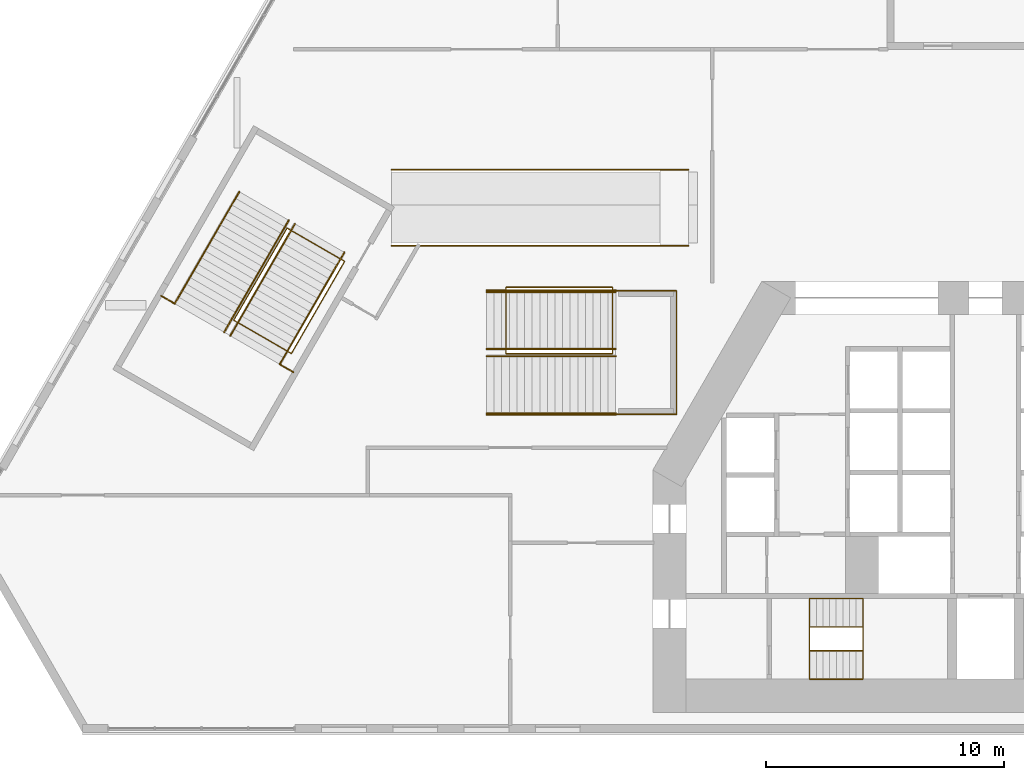
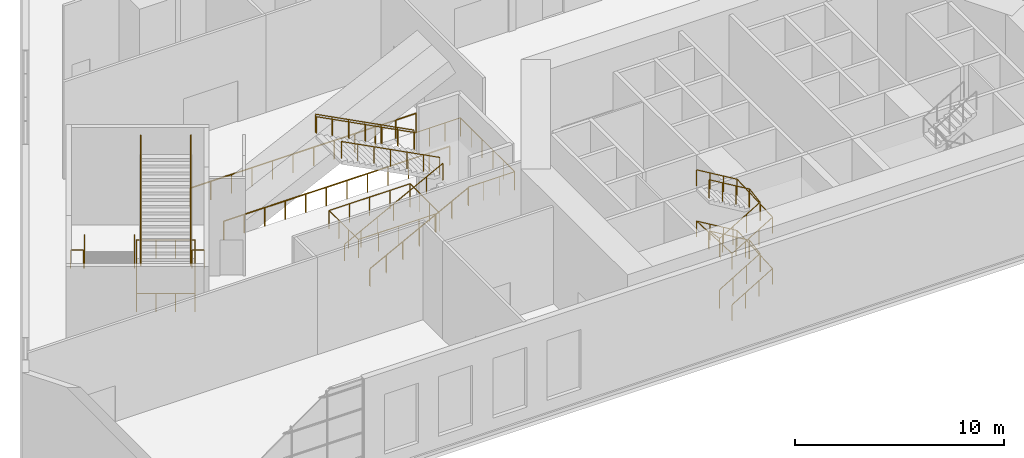
# One storey, part 22 of 27: 19 railings.
"""IFC4 building model written with IfcOpenShell, lengths in metres."""

from ifc_helpers import new_model, si_unit, direction, frame, origin, origin_2d, place, context, subcontext, project, spatial, circle, extrude, material, type_object, element, save


model = new_model("IFC4")

# Units and contexts
model_context = context("Model", 3, precision=1e-05, world=origin(), true_north=direction((0.0, 1.0)))
body_context = subcontext(model_context, "Body", "Model", "MODEL_VIEW")
ifc_project = project(units=[si_unit("LENGTHUNIT", "METRE"), si_unit("AREAUNIT", "SQUARE_METRE"), si_unit("VOLUMEUNIT", "CUBIC_METRE"), si_unit("PLANEANGLEUNIT", "RADIAN"), si_unit("MASSUNIT", "GRAM", prefix="KILO")], contexts=[model_context])

# Site, building, storey
site_placement = place(None, origin())
site = spatial("IfcSite", under=ifc_project, at=site_placement, CompositionType="ELEMENT")
building_placement = place(site_placement, origin())
building = spatial("IfcBuilding", under=site, at=building_placement, Name="Fogline Exchange Tower", CompositionType="ELEMENT")
storey_placement = place(building_placement, frame((0.0, 0.0, 8.0)))
storey = spatial("IfcBuildingStorey", under=building, at=storey_placement, Name="L01", CompositionType="ELEMENT", Elevation=8.0)

# Railings
ifc_material = material(Name="Steel Q235B", Category="steel")
railing_type_1 = type_object("IfcRailingType", Name="PG1", PredefinedType="GUARDRAIL", material=ifc_material)
railing_1_placement = place(storey_placement, frame((-29.3994140625, 21.23828125, 0.0)))
element("IfcRailing", 1, at=railing_1_placement, inside=storey, type_object=railing_type_1, Name="Stair well guard ST4", PredefinedType="GUARDRAIL", context=body_context, shape_type="SweptSolid", body=[
    extrude(circle(Radius=0.02392578125, at=origin_2d()), frame((0.0, 0.0, 1.076171875), z_axis=(0.866018616679, -0.500011755427, 0.0), x_axis=(0.500011755427, 0.866018616679, 0.0)), (0.0, 0.0, 1.0), 2.80029296875),
    extrude(circle(Radius=0.02392578125, at=origin_2d()), frame((2.425048828125, -1.400146484375, 1.076171875), z_axis=(-0.500015061066, -0.866016708099, 0.0), x_axis=(0.866016708099, -0.500015061066, 0.0)), (0.0, 0.0, 1.0), 4.477783203125),
    extrude(circle(Radius=0.02392578125, at=origin_2d()), frame((0.18603515625, -5.278076171875, 1.076171875), z_axis=(-0.866034573852, 0.49998411664, 0.0), x_axis=(-0.49998411664, -0.866034573852, 0.0)), (0.0, 0.0, 1.0), 2.7998046875),
    extrude(circle(Radius=0.02392578125, at=origin_2d()), frame((-2.23876953125, -3.878173828125, 1.076171875), z_axis=(0.500946001487, 0.865478540227, 0.0), x_axis=(-0.865478540227, 0.500946001487, 0.0)), (0.0, 0.0, 1.0), 4.477783203125),
    extrude(circle(Radius=0.02099609375, at=origin_2d()), origin(), (0.0, 0.0, 1.0), 1.052001953125),
    extrude(circle(Radius=0.02099609375, at=origin_2d()), frame((0.808349609375, -0.466796875, 0.0)), (0.0, 0.0, 1.0), 1.052001953125),
    extrude(circle(Radius=0.02099609375, at=origin_2d()), frame((1.61669921875, -0.933349609375, 0.0)), (0.0, 0.0, 1.0), 1.052001953125),
    extrude(circle(Radius=0.02099609375, at=origin_2d()), frame((2.425048828125, -1.400146484375, 0.0)), (0.0, 0.0, 1.0), 1.052001953125),
    extrude(circle(Radius=0.02099609375, at=origin_2d()), frame((1.865234375, -2.36962890625, 0.0)), (0.0, 0.0, 1.0), 1.052001953125),
    extrude(circle(Radius=0.02099609375, at=origin_2d()), frame((1.3056640625, -3.339111328125, 0.0)), (0.0, 0.0, 1.0), 1.052001953125),
    extrude(circle(Radius=0.02099609375, at=origin_2d()), frame((0.745849609375, -4.30859375, 0.0)), (0.0, 0.0, 1.0), 1.052001953125),
    extrude(circle(Radius=0.02099609375, at=origin_2d()), frame((0.18603515625, -5.278076171875, 0.0)), (0.0, 0.0, 1.0), 1.052001953125),
    extrude(circle(Radius=0.02099609375, at=origin_2d()), frame((-0.622314453125, -4.8115234375, 0.0)), (0.0, 0.0, 1.0), 1.052001953125),
    extrude(circle(Radius=0.02099609375, at=origin_2d()), frame((-1.430419921875, -4.3447265625, 0.0)), (0.0, 0.0, 1.0), 1.052001953125),
    extrude(circle(Radius=0.02099609375, at=origin_2d()), frame((-2.23876953125, -3.878173828125, 0.0)), (0.0, 0.0, 1.0), 1.052001953125),
    extrude(circle(Radius=0.02099609375, at=origin_2d()), frame((-1.677978515625, -2.9091796875, 0.0)), (0.0, 0.0, 1.0), 1.052001953125),
    extrude(circle(Radius=0.02099609375, at=origin_2d()), frame((-1.1171875, -1.9404296875, 0.0)), (0.0, 0.0, 1.0), 1.052001953125),
    extrude(circle(Radius=0.02099609375, at=origin_2d()), frame((-0.556396484375, -0.9716796875, 0.0)), (0.0, 0.0, 1.0), 1.052001953125),
    extrude(circle(Radius=0.02099609375, at=origin_2d()), frame((0.00439453125, -0.002685546875, 0.0)), (0.0, 0.0, 1.0), 1.052001953125),
])
railing_2_placement = place(storey_placement, frame((-34.69921875, 18.38818359375, 3.0)))
element("IfcRailing", 2, at=railing_2_placement, inside=storey, type_object=railing_type_1, Name="Landing guard ST4", PredefinedType="GUARDRAIL", context=body_context, shape_type="SweptSolid", body=[
    extrude(circle(Radius=0.02392578125, at=origin_2d()), frame((0.0, 0.0, 1.076171875), z_axis=(0.86615915044, -0.499768272412, 0.0), x_axis=(0.499768272412, 0.86615915044, 0.0)), (0.0, 0.0, 1.0), 0.614990234375),
    extrude(circle(Radius=0.02099609375, at=origin_2d()), origin(), (0.0, 0.0, 1.0), 1.052001953125),
    extrude(circle(Radius=0.02099609375, at=origin_2d()), frame((0.53271484375, -0.307373046875, 0.0)), (0.0, 0.0, 1.0), 1.052001953125),
])
railing_3_placement = place(storey_placement, frame((-29.6630859375, 15.480712890625, 3.0)))
element("IfcRailing", 3, at=railing_3_placement, inside=storey, type_object=railing_type_1, Name="Landing guard ST4", PredefinedType="GUARDRAIL", context=body_context, shape_type="SweptSolid", body=[
    extrude(circle(Radius=0.02392578125, at=origin_2d()), frame((0.0, 0.0, 1.076171875), z_axis=(0.866059952115, -0.49994015576, 0.0), x_axis=(0.49994015576, 0.866059952115, 0.0)), (0.0, 0.0, 1.0), 0.61474609375),
    extrude(circle(Radius=0.02099609375, at=origin_2d()), origin(), (0.0, 0.0, 1.0), 1.052001953125),
    extrude(circle(Radius=0.02099609375, at=origin_2d()), frame((0.532470703125, -0.307373046875, 0.0)), (0.0, 0.0, 1.0), 1.052001953125),
])
railing_4_placement = place(storey_placement, frame((-15.699951171875, 18.75, 0.0)))
element("IfcRailing", 4, at=railing_4_placement, inside=storey, type_object=railing_type_1, Name="Stair well guard PS1", PredefinedType="GUARDRAIL", context=body_context, shape_type="SweptSolid", body=[
    extrude(circle(Radius=0.02392578125, at=origin_2d()), frame((0.0, 0.0, 1.076171875), z_axis=(0.0, -1.0, 0.0), x_axis=(1.0, 0.0, 0.0)), (0.0, 0.0, 1.0), 2.800048828125),
    extrude(circle(Radius=0.02392578125, at=origin_2d()), frame((0.0, -2.800048828125, 1.076171875), z_axis=(-1.0, 0.0, 0.0), x_axis=(0.0, -1.0, 0.0)), (0.0, 0.0, 1.0), 4.47802734375),
    extrude(circle(Radius=0.02392578125, at=origin_2d()), frame((-4.47802734375, -2.800048828125, 1.076171875), z_axis=(0.0, 1.0, 0.0), x_axis=(-1.0, 0.0, 0.0)), (0.0, 0.0, 1.0), 2.800048828125),
    extrude(circle(Radius=0.02392578125, at=origin_2d()), frame((-4.47802734375, 0.0, 1.076171875), z_axis=(0.999999405521, -0.001090392984, 0.0), x_axis=(0.001090392984, 0.999999405521, 0.0)), (0.0, 0.0, 1.0), 4.47802734375),
    extrude(circle(Radius=0.02099609375, at=origin_2d()), origin(), (0.0, 0.0, 1.0), 1.052001953125),
    extrude(circle(Radius=0.02099609375, at=origin_2d()), frame((0.0, -0.933349609375, 0.0)), (0.0, 0.0, 1.0), 1.052001953125),
    extrude(circle(Radius=0.02099609375, at=origin_2d()), frame((0.0, -1.86669921875, 0.0)), (0.0, 0.0, 1.0), 1.052001953125),
    extrude(circle(Radius=0.02099609375, at=origin_2d()), frame((0.0, -2.800048828125, 0.0)), (0.0, 0.0, 1.0), 1.052001953125),
    extrude(circle(Radius=0.02099609375, at=origin_2d()), frame((-1.11962890625, -2.800048828125, 0.0)), (0.0, 0.0, 1.0), 1.052001953125),
    extrude(circle(Radius=0.02099609375, at=origin_2d()), frame((-2.239013671875, -2.800048828125, 0.0)), (0.0, 0.0, 1.0), 1.052001953125),
    extrude(circle(Radius=0.02099609375, at=origin_2d()), frame((-3.3583984375, -2.800048828125, 0.0)), (0.0, 0.0, 1.0), 1.052001953125),
    extrude(circle(Radius=0.02099609375, at=origin_2d()), frame((-4.47802734375, -2.800048828125, 0.0)), (0.0, 0.0, 1.0), 1.052001953125),
    extrude(circle(Radius=0.02099609375, at=origin_2d()), frame((-4.47802734375, -1.86669921875, 0.0)), (0.0, 0.0, 1.0), 1.052001953125),
    extrude(circle(Radius=0.02099609375, at=origin_2d()), frame((-4.47802734375, -0.933349609375, 0.0)), (0.0, 0.0, 1.0), 1.052001953125),
    extrude(circle(Radius=0.02099609375, at=origin_2d()), frame((-4.47802734375, 0.0, 0.0)), (0.0, 0.0, 1.0), 1.052001953125),
    extrude(circle(Radius=0.02099609375, at=origin_2d()), frame((-3.3583984375, -0.001220703125, 0.0)), (0.0, 0.0, 1.0), 1.052001953125),
    extrude(circle(Radius=0.02099609375, at=origin_2d()), frame((-2.239013671875, -0.00244140625, 0.0)), (0.0, 0.0, 1.0), 1.052001953125),
    extrude(circle(Radius=0.02099609375, at=origin_2d()), frame((-1.11962890625, -0.003662109375, 0.0)), (0.0, 0.0, 1.0), 1.052001953125),
    extrude(circle(Radius=0.02099609375, at=origin_2d()), frame((0.0, -0.0048828125, 0.0)), (0.0, 0.0, 1.0), 1.052001953125),
])
railing_5_placement = place(storey_placement, frame((-21.0, 13.3798828125, 0.166748046875)))
element("IfcRailing", 5, at=railing_5_placement, inside=storey, type_object=railing_type_1, Name="Guard PS1", PredefinedType="GUARDRAIL", context=body_context, shape_type="SweptSolid", body=[
    extrude(circle(Radius=0.02392578125, at=origin_2d()), frame((0.0, 0.0, 1.076171875), z_axis=(0.886917481566, 0.0, 0.461927895771), x_axis=(0.0, 1.0, 0.0)), (0.0, 0.0, 1.0), 6.133544921875),
    extrude(circle(Radius=0.02099609375, at=origin_2d()), origin(), (0.0, 0.0, 1.0), 1.052001953125),
    extrude(circle(Radius=0.02099609375, at=origin_2d()), frame((0.90673828125, 0.0, 0.47216796875)), (0.0, 0.0, 1.0), 1.052001953125),
    extrude(circle(Radius=0.02099609375, at=origin_2d()), frame((1.813232421875, 0.0, 0.9443359375)), (0.0, 0.0, 1.0), 1.052001953125),
    extrude(circle(Radius=0.02099609375, at=origin_2d()), frame((2.719970703125, 0.0, 1.41650390625)), (0.0, 0.0, 1.0), 1.052001953125),
    extrude(circle(Radius=0.02099609375, at=origin_2d()), frame((3.626708984375, 0.0, 1.888916015625)), (0.0, 0.0, 1.0), 1.052001953125),
    extrude(circle(Radius=0.02099609375, at=origin_2d()), frame((4.533203125, 0.0, 2.361083984375)), (0.0, 0.0, 1.0), 1.052001953125),
    extrude(circle(Radius=0.02099609375, at=origin_2d()), frame((5.43994140625, 0.0, 2.833251953125)), (0.0, 0.0, 1.0), 1.052001953125),
])
railing_6_placement = place(storey_placement, frame((-15.56005859375, 18.6201171875, 3.166748046875)))
element("IfcRailing", 6, at=railing_6_placement, inside=storey, type_object=railing_type_1, Name="Guard PS1", PredefinedType="GUARDRAIL", context=body_context, shape_type="SweptSolid", body=[
    extrude(circle(Radius=0.02392578125, at=origin_2d()), frame((0.0, 0.0, 1.076171875), z_axis=(-0.886917481566, 0.0, 0.461927895771), x_axis=(0.0, -1.0, 0.0)), (0.0, 0.0, 1.0), 6.133544921875),
    extrude(circle(Radius=0.02099609375, at=origin_2d()), origin(), (0.0, 0.0, 1.0), 1.052001953125),
    extrude(circle(Radius=0.02099609375, at=origin_2d()), frame((-0.90673828125, 0.0, 0.47216796875)), (0.0, 0.0, 1.0), 1.052001953125),
    extrude(circle(Radius=0.02099609375, at=origin_2d()), frame((-1.813232421875, 0.0, 0.9443359375)), (0.0, 0.0, 1.0), 1.052001953125),
    extrude(circle(Radius=0.02099609375, at=origin_2d()), frame((-2.719970703125, 0.0, 1.41650390625)), (0.0, 0.0, 1.0), 1.052001953125),
    extrude(circle(Radius=0.02099609375, at=origin_2d()), frame((-3.626708984375, 0.0, 1.888916015625)), (0.0, 0.0, 1.0), 1.052001953125),
    extrude(circle(Radius=0.02099609375, at=origin_2d()), frame((-4.533203125, 0.0, 2.361083984375)), (0.0, 0.0, 1.0), 1.052001953125),
    extrude(circle(Radius=0.02099609375, at=origin_2d()), frame((-5.43994140625, 0.0, 2.833251953125)), (0.0, 0.0, 1.0), 1.052001953125),
])
railing_7_placement = place(storey_placement, frame((-15.56005859375, 13.39990234375, 3.0)))
element("IfcRailing", 7, at=railing_7_placement, inside=storey, type_object=railing_type_1, Name="Landing guard PS1", PredefinedType="GUARDRAIL", context=body_context, shape_type="SweptSolid", body=[
    extrude(circle(Radius=0.02392578125, at=origin_2d()), frame((0.0, 0.0, 1.076171875), z_axis=(1.0, 0.0, 0.0), x_axis=(0.0, 1.0, 0.0)), (0.0, 0.0, 1.0), 2.56005859375),
    extrude(circle(Radius=0.02392578125, at=origin_2d()), frame((2.56005859375, 0.0, 1.076171875), z_axis=(0.0, 1.0, 0.0), x_axis=(-1.0, 0.0, 0.0)), (0.0, 0.0, 1.0), 5.2001953125),
    extrude(circle(Radius=0.02392578125, at=origin_2d()), frame((2.56005859375, 5.2001953125, 1.076171875), z_axis=(-1.0, 0.0, 0.0), x_axis=(0.0, -1.0, 0.0)), (0.0, 0.0, 1.0), 2.56005859375),
    extrude(circle(Radius=0.02099609375, at=origin_2d()), origin(), (0.0, 0.0, 1.0), 1.052001953125),
    extrude(circle(Radius=0.02099609375, at=origin_2d()), frame((0.853271484375, 0.0, 0.0)), (0.0, 0.0, 1.0), 1.052001953125),
    extrude(circle(Radius=0.02099609375, at=origin_2d()), frame((1.706787109375, 0.0, 0.0)), (0.0, 0.0, 1.0), 1.052001953125),
    extrude(circle(Radius=0.02099609375, at=origin_2d()), frame((2.56005859375, 0.0, 0.0)), (0.0, 0.0, 1.0), 1.052001953125),
    extrude(circle(Radius=0.02099609375, at=origin_2d()), frame((2.56005859375, 1.0400390625, 0.0)), (0.0, 0.0, 1.0), 1.052001953125),
    extrude(circle(Radius=0.02099609375, at=origin_2d()), frame((2.56005859375, 2.080078125, 0.0)), (0.0, 0.0, 1.0), 1.052001953125),
    extrude(circle(Radius=0.02099609375, at=origin_2d()), frame((2.56005859375, 3.1201171875, 0.0)), (0.0, 0.0, 1.0), 1.052001953125),
    extrude(circle(Radius=0.02099609375, at=origin_2d()), frame((2.56005859375, 4.16015625, 0.0)), (0.0, 0.0, 1.0), 1.052001953125),
    extrude(circle(Radius=0.02099609375, at=origin_2d()), frame((2.56005859375, 5.2001953125, 0.0)), (0.0, 0.0, 1.0), 1.052001953125),
    extrude(circle(Radius=0.02099609375, at=origin_2d()), frame((1.706787109375, 5.2001953125, 0.0)), (0.0, 0.0, 1.0), 1.052001953125),
    extrude(circle(Radius=0.02099609375, at=origin_2d()), frame((0.853271484375, 5.2001953125, 0.0)), (0.0, 0.0, 1.0), 1.052001953125),
    extrude(circle(Radius=0.02099609375, at=origin_2d()), frame((0.0, 5.2001953125, 0.0)), (0.0, 0.0, 1.0), 1.052001953125),
])
for number, where, name in (
    (8, (-25.0, 20.5, 0.0), "Guard"),
    (9, (-25.0, 23.699951171875, 0.0), "Guard"),
):
    element("IfcRailing", number, at=place(storey_placement, frame(where)), inside=storey, type_object=railing_type_1, Name=name, PredefinedType="GUARDRAIL", context=body_context, shape_type="SweptSolid", body=[
        extrude(circle(Radius=0.02392578125, at=origin_2d()), frame((0.0, 0.0, 1.076171875), z_axis=(1.0, 0.0, 0.0), x_axis=(0.0, 1.0, 0.0)), (0.0, 0.0, 1.0), 12.5),
        extrude(circle(Radius=0.02099609375, at=origin_2d()), origin(), (0.0, 0.0, 1.0), 1.052001953125),
        extrude(circle(Radius=0.02099609375, at=origin_2d()), frame((1.136474609375, 0.0, 0.0)), (0.0, 0.0, 1.0), 1.052001953125),
        extrude(circle(Radius=0.02099609375, at=origin_2d()), frame((2.272705078125, 0.0, 0.0)), (0.0, 0.0, 1.0), 1.052001953125),
        extrude(circle(Radius=0.02099609375, at=origin_2d()), frame((3.4091796875, 0.0, 0.0)), (0.0, 0.0, 1.0), 1.052001953125),
        extrude(circle(Radius=0.02099609375, at=origin_2d()), frame((4.54541015625, 0.0, 0.0)), (0.0, 0.0, 1.0), 1.052001953125),
        extrude(circle(Radius=0.02099609375, at=origin_2d()), frame((5.681884765625, 0.0, 0.0)), (0.0, 0.0, 1.0), 1.052001953125),
        extrude(circle(Radius=0.02099609375, at=origin_2d()), frame((6.818115234375, 0.0, 0.0)), (0.0, 0.0, 1.0), 1.052001953125),
        extrude(circle(Radius=0.02099609375, at=origin_2d()), frame((7.95458984375, 0.0, 0.0)), (0.0, 0.0, 1.0), 1.052001953125),
        extrude(circle(Radius=0.02099609375, at=origin_2d()), frame((9.0908203125, 0.0, 0.0)), (0.0, 0.0, 1.0), 1.052001953125),
        extrude(circle(Radius=0.02099609375, at=origin_2d()), frame((10.227294921875, 0.0, 0.0)), (0.0, 0.0, 1.0), 1.052001953125),
        extrude(circle(Radius=0.02099609375, at=origin_2d()), frame((11.363525390625, 0.0, 0.0)), (0.0, 0.0, 1.0), 1.052001953125),
        extrude(circle(Radius=0.02099609375, at=origin_2d()), frame((12.5, 0.0, 0.0)), (0.0, 0.0, 1.0), 1.052001953125),
    ])
railing_type_2 = type_object("IfcRailingType", Name="PH1", PredefinedType="HANDRAIL", material=ifc_material)
railing_8_placement = place(storey_placement, frame((-31.4033203125, 22.76708984375, 0.166748046875)))
element("IfcRailing", 10, at=railing_8_placement, inside=storey, type_object=railing_type_2, Name="Handrail ST4", PredefinedType="HANDRAIL", context=body_context, shape_type="SweptSolid", body=[
    extrude(circle(Radius=0.02392578125, at=origin_2d()), frame((0.0, 0.0, 0.97607421875), z_axis=(-0.443442173932, -0.768113012524, 0.461910638944), x_axis=(0.866039112897, -0.499976254368, 0.0)), (0.0, 0.0, 1.0), 6.1337890625),
    extrude(circle(Radius=0.02099609375, at=origin_2d()), origin(), (0.0, 0.0, 1.0), 0.951904296875),
    extrude(circle(Radius=0.02099609375, at=origin_2d()), frame((-0.453369140625, -0.78515625, 0.47216796875)), (0.0, 0.0, 1.0), 0.951904296875),
    extrude(circle(Radius=0.02099609375, at=origin_2d()), frame((-0.90673828125, -1.570556640625, 0.9443359375)), (0.0, 0.0, 1.0), 0.951904296875),
    extrude(circle(Radius=0.02099609375, at=origin_2d()), frame((-1.35986328125, -2.355712890625, 1.41650390625)), (0.0, 0.0, 1.0), 0.951904296875),
    extrude(circle(Radius=0.02099609375, at=origin_2d()), frame((-1.813232421875, -3.140869140625, 1.888916015625)), (0.0, 0.0, 1.0), 0.951904296875),
    extrude(circle(Radius=0.02099609375, at=origin_2d()), frame((-2.2666015625, -3.92626953125, 2.361083984375)), (0.0, 0.0, 1.0), 0.951904296875),
    extrude(circle(Radius=0.02099609375, at=origin_2d()), frame((-2.719970703125, -4.71142578125, 2.833251953125)), (0.0, 0.0, 1.0), 0.951904296875),
])
railing_9_placement = place(storey_placement, frame((-29.324951171875, 21.56689453125, 0.166748046875)))
element("IfcRailing", 11, at=railing_9_placement, inside=storey, type_object=railing_type_2, Name="Handrail ST4", PredefinedType="HANDRAIL", context=body_context, shape_type="SweptSolid", body=[
    extrude(circle(Radius=0.02392578125, at=origin_2d()), frame((0.0, 0.0, 0.97607421875), z_axis=(-0.443455731556, -0.768096692562, 0.461924761216), x_axis=(0.866027894023, -0.499995686755, 0.0)), (0.0, 0.0, 1.0), 6.133544921875),
    extrude(circle(Radius=0.02099609375, at=origin_2d()), origin(), (0.0, 0.0, 1.0), 0.951904296875),
    extrude(circle(Radius=0.02099609375, at=origin_2d()), frame((-0.453369140625, -0.78515625, 0.47216796875)), (0.0, 0.0, 1.0), 0.951904296875),
    extrude(circle(Radius=0.02099609375, at=origin_2d()), frame((-0.90673828125, -1.5703125, 0.9443359375)), (0.0, 0.0, 1.0), 0.951904296875),
    extrude(circle(Radius=0.02099609375, at=origin_2d()), frame((-1.35986328125, -2.35546875, 1.41650390625)), (0.0, 0.0, 1.0), 0.951904296875),
    extrude(circle(Radius=0.02099609375, at=origin_2d()), frame((-1.813232421875, -3.140869140625, 1.888916015625)), (0.0, 0.0, 1.0), 0.951904296875),
    extrude(circle(Radius=0.02099609375, at=origin_2d()), frame((-2.2666015625, -3.926025390625, 2.361083984375)), (0.0, 0.0, 1.0), 0.951904296875),
    extrude(circle(Radius=0.02099609375, at=origin_2d()), frame((-2.719970703125, -4.711181640625, 2.833251953125)), (0.0, 0.0, 1.0), 0.951904296875),
])
railing_10_placement = place(storey_placement, frame((-29.70654296875, 15.505859375, 3.166748046875)))
element("IfcRailing", 12, at=railing_10_placement, inside=storey, type_object=railing_type_2, Name="Handrail ST4", PredefinedType="HANDRAIL", context=body_context, shape_type="SweptSolid", body=[
    extrude(circle(Radius=0.02392578125, at=origin_2d()), frame((0.0, 0.0, 0.97607421875), z_axis=(0.443455731556, 0.768096692562, 0.461924761216), x_axis=(-0.866027894023, 0.499995686755, 0.0)), (0.0, 0.0, 1.0), 6.133544921875),
    extrude(circle(Radius=0.02099609375, at=origin_2d()), origin(), (0.0, 0.0, 1.0), 0.951904296875),
    extrude(circle(Radius=0.02099609375, at=origin_2d()), frame((0.453369140625, 0.78515625, 0.47216796875)), (0.0, 0.0, 1.0), 0.951904296875),
    extrude(circle(Radius=0.02099609375, at=origin_2d()), frame((0.90673828125, 1.5703125, 0.9443359375)), (0.0, 0.0, 1.0), 0.951904296875),
    extrude(circle(Radius=0.02099609375, at=origin_2d()), frame((1.35986328125, 2.35546875, 1.41650390625)), (0.0, 0.0, 1.0), 0.951904296875),
    extrude(circle(Radius=0.02099609375, at=origin_2d()), frame((1.813232421875, 3.140869140625, 1.888916015625)), (0.0, 0.0, 1.0), 0.951904296875),
    extrude(circle(Radius=0.02099609375, at=origin_2d()), frame((2.2666015625, 3.926025390625, 2.361083984375)), (0.0, 0.0, 1.0), 0.951904296875),
    extrude(circle(Radius=0.02099609375, at=origin_2d()), frame((2.719970703125, 4.711181640625, 2.833251953125)), (0.0, 0.0, 1.0), 0.951904296875),
])
railing_11_placement = place(storey_placement, frame((-31.784912109375, 16.705810546875, 3.166748046875)))
element("IfcRailing", 13, at=railing_11_placement, inside=storey, type_object=railing_type_2, Name="Handrail ST4", PredefinedType="HANDRAIL", context=body_context, shape_type="SweptSolid", body=[
    extrude(circle(Radius=0.02392578125, at=origin_2d()), frame((0.0, 0.0, 0.97607421875), z_axis=(0.443423754331, 0.768110250208, 0.461932914632), x_axis=(-0.866047326822, 0.499962026263, 0.0)), (0.0, 0.0, 1.0), 6.133544921875),
    extrude(circle(Radius=0.02099609375, at=origin_2d()), origin(), (0.0, 0.0, 1.0), 0.951904296875),
    extrude(circle(Radius=0.02099609375, at=origin_2d()), frame((0.453369140625, 0.78515625, 0.47216796875)), (0.0, 0.0, 1.0), 0.951904296875),
    extrude(circle(Radius=0.02099609375, at=origin_2d()), frame((0.906494140625, 1.5703125, 0.9443359375)), (0.0, 0.0, 1.0), 0.951904296875),
    extrude(circle(Radius=0.02099609375, at=origin_2d()), frame((1.35986328125, 2.35546875, 1.41650390625)), (0.0, 0.0, 1.0), 0.951904296875),
    extrude(circle(Radius=0.02099609375, at=origin_2d()), frame((1.813232421875, 3.140869140625, 1.888916015625)), (0.0, 0.0, 1.0), 0.951904296875),
    extrude(circle(Radius=0.02099609375, at=origin_2d()), frame((2.266357421875, 3.926025390625, 2.361083984375)), (0.0, 0.0, 1.0), 0.951904296875),
    extrude(circle(Radius=0.02099609375, at=origin_2d()), frame((2.7197265625, 4.711181640625, 2.833251953125)), (0.0, 0.0, 1.0), 0.951904296875),
])
for number, where, name in (
    (14, (-21.0, 13.449951171875, 0.166748046875), "Handrail PS1"),
    (15, (-21.0, 15.85009765625, 0.166748046875), "Handrail PS1"),
):
    element("IfcRailing", number, at=place(storey_placement, frame(where)), inside=storey, type_object=railing_type_2, Name=name, PredefinedType="HANDRAIL", context=body_context, shape_type="SweptSolid", body=[
        extrude(circle(Radius=0.02392578125, at=origin_2d()), frame((0.0, 0.0, 0.97607421875), z_axis=(0.886917481566, 0.0, 0.461927895771), x_axis=(0.0, 1.0, 0.0)), (0.0, 0.0, 1.0), 6.133544921875),
        extrude(circle(Radius=0.02099609375, at=origin_2d()), origin(), (0.0, 0.0, 1.0), 0.951904296875),
        extrude(circle(Radius=0.02099609375, at=origin_2d()), frame((0.90673828125, 0.0, 0.47216796875)), (0.0, 0.0, 1.0), 0.951904296875),
        extrude(circle(Radius=0.02099609375, at=origin_2d()), frame((1.813232421875, 0.0, 0.9443359375)), (0.0, 0.0, 1.0), 0.951904296875),
        extrude(circle(Radius=0.02099609375, at=origin_2d()), frame((2.719970703125, 0.0, 1.41650390625)), (0.0, 0.0, 1.0), 0.951904296875),
        extrude(circle(Radius=0.02099609375, at=origin_2d()), frame((3.626708984375, 0.0, 1.888916015625)), (0.0, 0.0, 1.0), 0.951904296875),
        extrude(circle(Radius=0.02099609375, at=origin_2d()), frame((4.533203125, 0.0, 2.361083984375)), (0.0, 0.0, 1.0), 0.951904296875),
        extrude(circle(Radius=0.02099609375, at=origin_2d()), frame((5.43994140625, 0.0, 2.833251953125)), (0.0, 0.0, 1.0), 0.951904296875),
    ])
for number, where, name in (
    (16, (-15.56005859375, 18.550048828125, 3.166748046875), "Handrail PS1"),
    (17, (-15.56005859375, 16.14990234375, 3.166748046875), "Handrail PS1"),
):
    element("IfcRailing", number, at=place(storey_placement, frame(where)), inside=storey, type_object=railing_type_2, Name=name, PredefinedType="HANDRAIL", context=body_context, shape_type="SweptSolid", body=[
        extrude(circle(Radius=0.02392578125, at=origin_2d()), frame((0.0, 0.0, 0.97607421875), z_axis=(-0.886917481566, 0.0, 0.461927895771), x_axis=(0.0, -1.0, 0.0)), (0.0, 0.0, 1.0), 6.133544921875),
        extrude(circle(Radius=0.02099609375, at=origin_2d()), origin(), (0.0, 0.0, 1.0), 0.951904296875),
        extrude(circle(Radius=0.02099609375, at=origin_2d()), frame((-0.90673828125, 0.0, 0.47216796875)), (0.0, 0.0, 1.0), 0.951904296875),
        extrude(circle(Radius=0.02099609375, at=origin_2d()), frame((-1.813232421875, 0.0, 0.9443359375)), (0.0, 0.0, 1.0), 0.951904296875),
        extrude(circle(Radius=0.02099609375, at=origin_2d()), frame((-2.719970703125, 0.0, 1.41650390625)), (0.0, 0.0, 1.0), 0.951904296875),
        extrude(circle(Radius=0.02099609375, at=origin_2d()), frame((-3.626708984375, 0.0, 1.888916015625)), (0.0, 0.0, 1.0), 0.951904296875),
        extrude(circle(Radius=0.02099609375, at=origin_2d()), frame((-4.533203125, 0.0, 2.361083984375)), (0.0, 0.0, 1.0), 0.951904296875),
        extrude(circle(Radius=0.02099609375, at=origin_2d()), frame((-5.43994140625, 0.0, 2.833251953125)), (0.0, 0.0, 1.0), 0.951904296875),
    ])
railing_type_3 = type_object("IfcRailingType", Name="RL-GD", PredefinedType="GUARDRAIL", material=ifc_material)
railing_12_placement = place(storey_placement, frame((-7.39990234375, 3.449951171875, 0.166748046875)))
element("IfcRailing", 18, at=railing_12_placement, inside=storey, type_object=railing_type_3, Name="Guard ST1", PredefinedType="GUARDRAIL", context=body_context, shape_type="SweptSolid", body=[
    extrude(circle(Radius=0.02392578125, at=origin_2d()), frame((0.0, 0.0, 1.076171875), z_axis=(0.859305625298, 0.0, 0.511462454469), x_axis=(0.0, 1.0, 0.0)), (0.0, 0.0, 1.0), 2.606689453125),
    extrude(circle(Radius=0.02392578125, at=origin_2d()), frame((2.239990234375, 0.0, 2.4091796875), z_axis=(0.0, 0.986380903678, 0.164477089163), x_axis=(-1.0, 0.0, 0.0)), (0.0, 0.0, 1.0), 1.013916015625),
    extrude(circle(Radius=0.02392578125, at=origin_2d()), frame((2.239990234375, 1.0, 2.576171875), z_axis=(-0.859305625298, 0.0, 0.511462454469), x_axis=(0.0, -1.0, 0.0)), (0.0, 0.0, 1.0), 2.606689453125),
    extrude(circle(Radius=0.02392578125, at=origin_2d()), frame((0.0, 1.0, 3.9091796875), z_axis=(0.0, -0.986380903678, 0.164477089163), x_axis=(1.0, 0.0, 0.0)), (0.0, 0.0, 1.0), 1.013916015625),
    extrude(circle(Radius=0.02392578125, at=origin_2d()), frame((0.0, 0.0, 4.076171875), z_axis=(0.859305625298, 0.0, 0.511462454469), x_axis=(0.0, 1.0, 0.0)), (0.0, 0.0, 1.0), 2.606689453125),
    extrude(circle(Radius=0.02392578125, at=origin_2d()), frame((2.239990234375, 0.0, 5.4091796875), z_axis=(0.0, 0.986380903678, 0.164477089163), x_axis=(-1.0, 0.0, 0.0)), (0.0, 0.0, 1.0), 1.013916015625),
    extrude(circle(Radius=0.02392578125, at=origin_2d()), frame((2.239990234375, 1.0, 5.576171875), z_axis=(-0.859305625298, 0.0, 0.511462454469), x_axis=(0.0, -1.0, 0.0)), (0.0, 0.0, 1.0), 2.606689453125),
    extrude(circle(Radius=0.02099609375, at=origin_2d()), origin(), (0.0, 0.0, 1.0), 1.052001953125),
    extrude(circle(Radius=0.02099609375, at=origin_2d()), frame((0.74658203125, 0.0, 0.4443359375)), (0.0, 0.0, 1.0), 1.052001953125),
    extrude(circle(Radius=0.02099609375, at=origin_2d()), frame((1.493408203125, 0.0, 0.888916015625)), (0.0, 0.0, 1.0), 1.052001953125),
    extrude(circle(Radius=0.02099609375, at=origin_2d()), frame((2.239990234375, 0.0, 1.333251953125)), (0.0, 0.0, 1.0), 1.052001953125),
    extrude(circle(Radius=0.02099609375, at=origin_2d()), frame((2.239990234375, 1.0, 1.5)), (0.0, 0.0, 1.0), 1.052001953125),
    extrude(circle(Radius=0.02099609375, at=origin_2d()), frame((1.493408203125, 1.0, 1.9443359375)), (0.0, 0.0, 1.0), 1.052001953125),
    extrude(circle(Radius=0.02099609375, at=origin_2d()), frame((0.74658203125, 1.0, 2.388916015625)), (0.0, 0.0, 1.0), 1.052001953125),
    extrude(circle(Radius=0.02099609375, at=origin_2d()), frame((0.0, 1.0, 2.833251953125)), (0.0, 0.0, 1.0), 1.052001953125),
    extrude(circle(Radius=0.02099609375, at=origin_2d()), frame((0.0, 0.0, 3.0)), (0.0, 0.0, 1.0), 1.052001953125),
    extrude(circle(Radius=0.02099609375, at=origin_2d()), frame((0.74658203125, 0.0, 3.4443359375)), (0.0, 0.0, 1.0), 1.052001953125),
    extrude(circle(Radius=0.02099609375, at=origin_2d()), frame((1.493408203125, 0.0, 3.888916015625)), (0.0, 0.0, 1.0), 1.052001953125),
    extrude(circle(Radius=0.02099609375, at=origin_2d()), frame((2.239990234375, 0.0, 4.333251953125)), (0.0, 0.0, 1.0), 1.052001953125),
    extrude(circle(Radius=0.02099609375, at=origin_2d()), frame((2.239990234375, 1.0, 4.5)), (0.0, 0.0, 1.0), 1.052001953125),
    extrude(circle(Radius=0.02099609375, at=origin_2d()), frame((1.493408203125, 1.0, 4.9443359375)), (0.0, 0.0, 1.0), 1.052001953125),
    extrude(circle(Radius=0.02099609375, at=origin_2d()), frame((0.74658203125, 1.0, 5.388916015625)), (0.0, 0.0, 1.0), 1.052001953125),
    extrude(circle(Radius=0.02099609375, at=origin_2d()), frame((0.0, 1.0, 5.833251953125)), (0.0, 0.0, 1.0), 1.052001953125),
])
railing_type_4 = type_object("IfcRailingType", Name="RL-HR", PredefinedType="HANDRAIL", material=ifc_material)
railing_13_placement = place(storey_placement, frame((-7.39990234375, 2.25, 0.166748046875)))
element("IfcRailing", 19, at=railing_13_placement, inside=storey, type_object=railing_type_4, Name="Handrail ST1", PredefinedType="HANDRAIL", context=body_context, shape_type="SweptSolid", body=[
    extrude(circle(Radius=0.02392578125, at=origin_2d()), frame((0.0, 0.0, 0.92578125), z_axis=(0.859305625298, 0.0, 0.511462454469), x_axis=(0.0, 1.0, 0.0)), (0.0, 0.0, 1.0), 2.606689453125),
    extrude(circle(Radius=0.02392578125, at=origin_2d()), frame((2.239990234375, 0.0, 2.25927734375), z_axis=(0.0, 0.998799461751, 0.048986071548), x_axis=(-1.0, 0.0, 0.0)), (0.0, 0.0, 1.0), 3.404052734375),
    extrude(circle(Radius=0.02392578125, at=origin_2d()), frame((2.239990234375, 3.39990234375, 2.42578125), z_axis=(-0.859305625298, 0.0, 0.511462454469), x_axis=(0.0, -1.0, 0.0)), (0.0, 0.0, 1.0), 2.606689453125),
    extrude(circle(Radius=0.02392578125, at=origin_2d()), frame((0.0, 3.39990234375, 3.75927734375), z_axis=(0.0, -0.998799461751, 0.048986071548), x_axis=(1.0, 0.0, 0.0)), (0.0, 0.0, 1.0), 3.404052734375),
    extrude(circle(Radius=0.02392578125, at=origin_2d()), frame((0.0, 0.0, 3.92578125), z_axis=(0.859305625298, 0.0, 0.511462454469), x_axis=(0.0, 1.0, 0.0)), (0.0, 0.0, 1.0), 2.606689453125),
    extrude(circle(Radius=0.02392578125, at=origin_2d()), frame((2.239990234375, 0.0, 5.25927734375), z_axis=(0.0, 0.998799461751, 0.048986071548), x_axis=(-1.0, 0.0, 0.0)), (0.0, 0.0, 1.0), 3.404052734375),
    extrude(circle(Radius=0.02392578125, at=origin_2d()), frame((2.239990234375, 3.39990234375, 5.42578125), z_axis=(-0.859305625298, 0.0, 0.511462454469), x_axis=(0.0, -1.0, 0.0)), (0.0, 0.0, 1.0), 2.606689453125),
    extrude(circle(Radius=0.02099609375, at=origin_2d()), origin(), (0.0, 0.0, 1.0), 0.90185546875),
    extrude(circle(Radius=0.02099609375, at=origin_2d()), frame((0.74658203125, 0.0, 0.4443359375)), (0.0, 0.0, 1.0), 0.90185546875),
    extrude(circle(Radius=0.02099609375, at=origin_2d()), frame((1.493408203125, 0.0, 0.888916015625)), (0.0, 0.0, 1.0), 0.90185546875),
    extrude(circle(Radius=0.02099609375, at=origin_2d()), frame((2.239990234375, 0.0, 1.333251953125)), (0.0, 0.0, 1.0), 0.90185546875),
    extrude(circle(Radius=0.02099609375, at=origin_2d()), frame((2.239990234375, 1.13330078125, 1.388916015625)), (0.0, 0.0, 1.0), 0.90185546875),
    extrude(circle(Radius=0.02099609375, at=origin_2d()), frame((2.239990234375, 2.2666015625, 1.4443359375)), (0.0, 0.0, 1.0), 0.90185546875),
    extrude(circle(Radius=0.02099609375, at=origin_2d()), frame((2.239990234375, 3.39990234375, 1.5)), (0.0, 0.0, 1.0), 0.90185546875),
    extrude(circle(Radius=0.02099609375, at=origin_2d()), frame((1.493408203125, 3.39990234375, 1.9443359375)), (0.0, 0.0, 1.0), 0.90185546875),
    extrude(circle(Radius=0.02099609375, at=origin_2d()), frame((0.74658203125, 3.39990234375, 2.388916015625)), (0.0, 0.0, 1.0), 0.90185546875),
    extrude(circle(Radius=0.02099609375, at=origin_2d()), frame((0.0, 3.39990234375, 2.833251953125)), (0.0, 0.0, 1.0), 0.90185546875),
    extrude(circle(Radius=0.02099609375, at=origin_2d()), frame((0.0, 2.2666015625, 2.888916015625)), (0.0, 0.0, 1.0), 0.90185546875),
    extrude(circle(Radius=0.02099609375, at=origin_2d()), frame((0.0, 1.13330078125, 2.9443359375)), (0.0, 0.0, 1.0), 0.90185546875),
    extrude(circle(Radius=0.02099609375, at=origin_2d()), frame((0.0, 0.0, 3.0)), (0.0, 0.0, 1.0), 0.90185546875),
    extrude(circle(Radius=0.02099609375, at=origin_2d()), frame((0.74658203125, 0.0, 3.4443359375)), (0.0, 0.0, 1.0), 0.90185546875),
    extrude(circle(Radius=0.02099609375, at=origin_2d()), frame((1.493408203125, 0.0, 3.888916015625)), (0.0, 0.0, 1.0), 0.90185546875),
    extrude(circle(Radius=0.02099609375, at=origin_2d()), frame((2.239990234375, 0.0, 4.333251953125)), (0.0, 0.0, 1.0), 0.90185546875),
    extrude(circle(Radius=0.02099609375, at=origin_2d()), frame((2.239990234375, 1.13330078125, 4.388916015625)), (0.0, 0.0, 1.0), 0.90185546875),
    extrude(circle(Radius=0.02099609375, at=origin_2d()), frame((2.239990234375, 2.2666015625, 4.4443359375)), (0.0, 0.0, 1.0), 0.90185546875),
    extrude(circle(Radius=0.02099609375, at=origin_2d()), frame((2.239990234375, 3.39990234375, 4.5)), (0.0, 0.0, 1.0), 0.90185546875),
    extrude(circle(Radius=0.02099609375, at=origin_2d()), frame((1.493408203125, 3.39990234375, 4.9443359375)), (0.0, 0.0, 1.0), 0.90185546875),
    extrude(circle(Radius=0.02099609375, at=origin_2d()), frame((0.74658203125, 3.39990234375, 5.388916015625)), (0.0, 0.0, 1.0), 0.90185546875),
    extrude(circle(Radius=0.02099609375, at=origin_2d()), frame((0.0, 3.39990234375, 5.833251953125)), (0.0, 0.0, 1.0), 0.90185546875),
])

save(model, "model.ifc")
